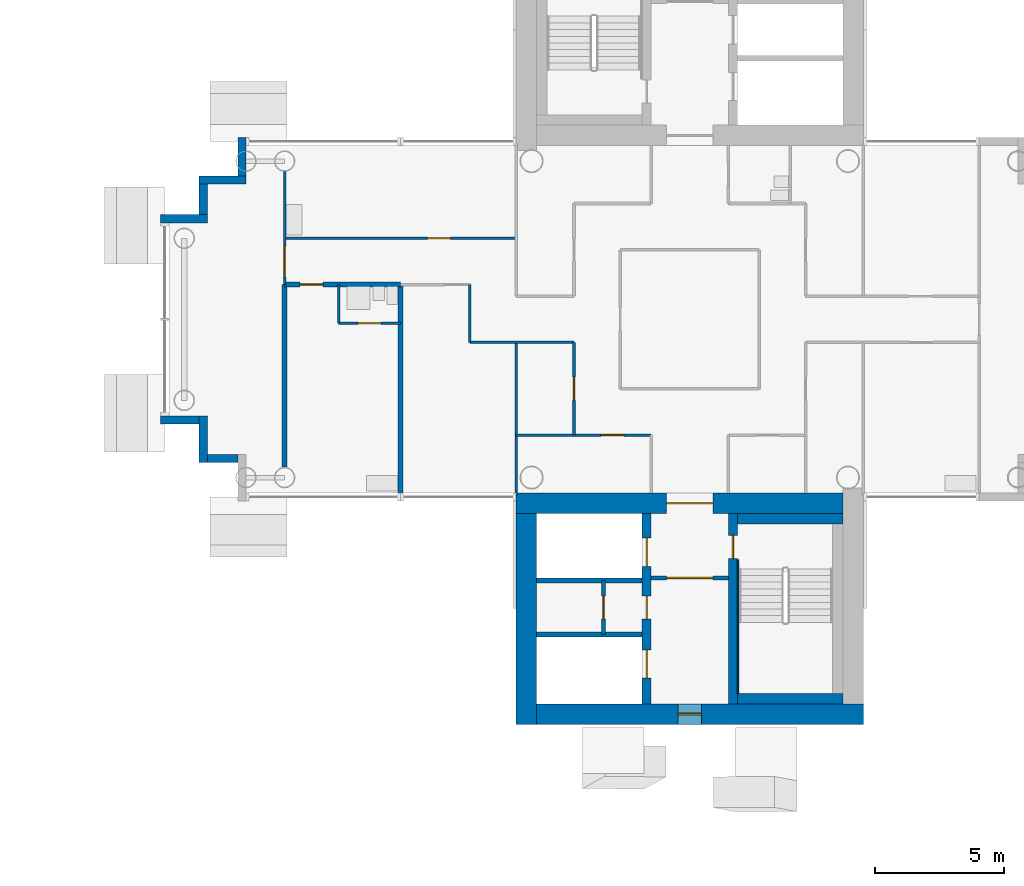
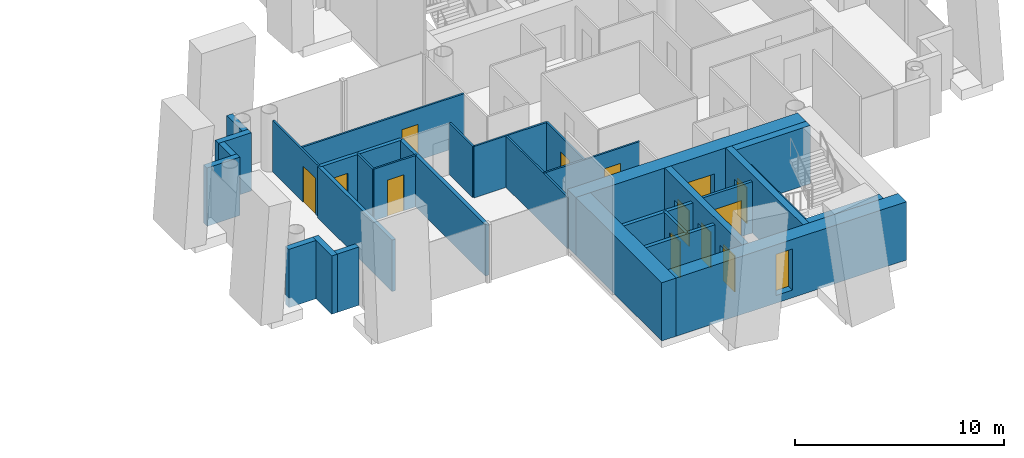
# One storey, part 9 of 19: 31 walls, 13 doors, 1 window, 14 openings.
"""IFC4 building model written with IfcOpenShell, lengths in metres."""

from ifc_helpers import new_model, si_unit, direction, frame, frame_2d, origin, place, context, subcontext, project, spatial, rectangle, extrude, material, layer, layer_set, type_object, element, fill, save


model = new_model("IFC4")

# Units and contexts
model_context = context("Model", 3, precision=1e-05, world=origin(), true_north=direction((0.0, 1.0)))
body_context = subcontext(model_context, "Body", "Model", "MODEL_VIEW")
ifc_project = project(units=[si_unit("LENGTHUNIT", "METRE"), si_unit("AREAUNIT", "SQUARE_METRE"), si_unit("VOLUMEUNIT", "CUBIC_METRE"), si_unit("PLANEANGLEUNIT", "RADIAN"), si_unit("MASSUNIT", "GRAM", prefix="KILO")], contexts=[model_context])

# Site, building, storey
site_placement = place(None, origin())
site = spatial("IfcSite", under=ifc_project, at=site_placement, CompositionType="ELEMENT")
building_placement = place(site_placement, origin())
building = spatial("IfcBuilding", under=site, at=building_placement, Name="Ipe Terrace Towers", CompositionType="ELEMENT")
storey_placement = place(building_placement, frame((0.0, 0.0, 137.10009765625)))
storey = spatial("IfcBuildingStorey", under=building, at=storey_placement, Name="L37", CompositionType="ELEMENT", Elevation=137.10009765625)

# Walls
ifc_material_1 = material(Name="Concrete C40/50 with buff precast cladding", Category="concrete")
ifc_layer_1 = layer(ifc_material_1, 0.320068359375)
ifc_layer_set_1 = layer_set([ifc_layer_1], Name="BUFF CLADDING WALL 320")
wall_type_1 = type_object("IfcWallType", Name="BUFF CLADDING WALL 320", PredefinedType="STANDARD", material=ifc_layer_set_1)
wall_1_placement = place(storey_placement, frame((18.590087890625, 7.070068359375, -0.300048828125), z_axis=(0.0, 0.0, 1.0), x_axis=(0.0, -1.0, 0.0)))
element("IfcWall", 1, at=wall_1_placement, inside=storey, type_object=wall_type_1, Name="T2-W-L37-30a wall", PredefinedType="STANDARD", context=body_context, shape_type="SweptSolid", body=[
    extrude(rectangle(XDim=1.5, YDim=0.320068359375, at=frame_2d((0.75, 0.0))), origin(), (0.0, 0.0, 1.0), 3.39990234375),
])
wall_2_placement = place(storey_placement, frame((18.75, 5.409912109375, -0.300048828125), z_axis=(0.0, 0.0, 1.0), x_axis=(-1.0, 0.0, 0.0)))
element("IfcWall", 2, at=wall_2_placement, inside=storey, type_object=wall_type_1, Name="T2-W-L37-31a wall", PredefinedType="STANDARD", context=body_context, shape_type="SweptSolid", body=[
    extrude(rectangle(XDim=1.820068359375, YDim=0.320068359375, at=frame_2d((0.91015625, 0.0))), origin(), (0.0, 0.0, 1.0), 3.39990234375),
])
wall_3_placement = place(storey_placement, frame((17.090087890625, 5.25, -0.300048828125), z_axis=(0.0, 0.0, 1.0), x_axis=(0.0, -1.0, 0.0)))
element("IfcWall", 3, at=wall_3_placement, inside=storey, type_object=wall_type_1, Name="T2-W-L37-32a wall", PredefinedType="STANDARD", context=body_context, shape_type="SweptSolid", body=[
    extrude(rectangle(XDim=1.179931640625, YDim=0.320068359375, at=frame_2d((0.58984375, 0.0))), origin(), (0.0, 0.0, 1.0), 3.39990234375),
])
wall_4_placement = place(storey_placement, frame((17.25, 3.909912109375, -0.300048828125), z_axis=(0.0, 0.0, 1.0), x_axis=(-1.0, 0.0, 0.0)))
element("IfcWall", 4, at=wall_4_placement, inside=storey, type_object=wall_type_1, Name="T2-W-L37-33a wall", PredefinedType="STANDARD", context=body_context, shape_type="SweptSolid", body=[
    extrude(rectangle(XDim=1.820068359375, YDim=0.320068359375, at=frame_2d((0.91015625, 0.0))), origin(), (0.0, 0.0, 1.0), 3.39990234375),
])
wall_5_placement = place(storey_placement, frame((15.429931640625, -3.909912109375, -0.300048828125), z_axis=(0.0, 0.0, 1.0), x_axis=(1.0, 0.0, 0.0)))
element("IfcWall", 5, at=wall_5_placement, inside=storey, type_object=wall_type_1, Name="T2-W-L37-35a wall", PredefinedType="STANDARD", context=body_context, shape_type="SweptSolid", body=[
    extrude(rectangle(XDim=1.5, YDim=0.320068359375, at=frame_2d((0.75, 0.0))), origin(), (0.0, 0.0, 1.0), 3.39990234375),
])
wall_6_placement = place(storey_placement, frame((17.090087890625, -3.75, -0.300048828125), z_axis=(0.0, 0.0, 1.0), x_axis=(0.0, -1.0, 0.0)))
element("IfcWall", 6, at=wall_6_placement, inside=storey, type_object=wall_type_1, Name="T2-W-L37-36a wall", PredefinedType="STANDARD", context=body_context, shape_type="SweptSolid", body=[
    extrude(rectangle(XDim=1.820068359375, YDim=0.320068359375, at=frame_2d((0.91015625, 0.0))), origin(), (0.0, 0.0, 1.0), 3.39990234375),
])
wall_7_placement = place(storey_placement, frame((17.25, -5.409912109375, -0.300048828125), z_axis=(0.0, 0.0, 1.0), x_axis=(1.0, 0.0, 0.0)))
element("IfcWall", 7, at=wall_7_placement, inside=storey, type_object=wall_type_1, Name="T2-W-L37-37a wall", PredefinedType="STANDARD", context=body_context, shape_type="SweptSolid", body=[
    extrude(rectangle(XDim=1.179931640625, YDim=0.320068359375, at=frame_2d((0.58984375, 0.0))), origin(), (0.0, 0.0, 1.0), 3.39990234375),
])

# Wall, opening, door
ifc_material_2 = material(Name="Gypsum board partition", Category="plasterboard")
ifc_layer_2 = layer(ifc_material_2, 0.10009765625)
ifc_layer_set_2 = layer_set([ifc_layer_2], Name="Gypsum board partition 100 mm")
wall_type_2 = type_object("IfcWallType", Name="Gypsum board partition 100 mm", PredefinedType="PARTITIONING", material=ifc_layer_set_2)
wall_8_placement = place(storey_placement, frame((34.5, -4.5, 0.0), z_axis=(0.0, 0.0, 1.0), x_axis=(-1.0, 0.0, 0.0)))
wall_8 = element("IfcWall", 8, at=wall_8_placement, inside=storey, type_object=wall_type_2, Name="Gypsum board partition T2 L37 W02", PredefinedType="PARTITIONING", context=body_context, shape_type="SweptSolid", body=[
    extrude(rectangle(XDim=5.25, YDim=0.10009765625, at=frame_2d((2.625, 0.0))), origin(), (0.0, 0.0, 1.0), 3.0),
])
opening_1_placement = place(wall_8_placement, frame((1.050048828125, 0.0, 0.0)))
opening_1 = element("IfcOpeningElement", 9, at=opening_1_placement, cuts=wall_8, Name="Opening T2-Z3A-05", PredefinedType="OPENING", context=body_context, shape_type="SweptSolid", body=[
    extrude(rectangle(XDim=0.89990234375, YDim=2.10009765625, at=frame_2d((0.449951171875, 1.050048828125))), frame((0.0, 0.06005859375, 0.0), z_axis=(0.0, -1.0, 0.0), x_axis=(1.0, 0.0, 0.0)), (0.0, 0.0, 1.0), 0.1201171875),
])
ifc_material_3 = material(Name="Timber door leaf", Category="wood")
door_type_1 = type_object("IfcDoorType", Name="Lounge door 900 x 2100", OperationType="NOTDEFINED", PredefinedType="DOOR", material=ifc_material_3)
door_1_placement = place(opening_1_placement, origin())
door_1 = element("IfcDoor", 10, at=door_1_placement, inside=storey, type_object=door_type_1, Name="Lounge door T2-Z3A-05", OperationType="SINGLE_SWING_RIGHT", OverallHeight=2.10009765625, OverallWidth=0.89990234375, PredefinedType="DOOR", context=body_context, shape_type="SweptSolid", body=[
    extrude(rectangle(XDim=0.89990234375, YDim=2.10009765625, at=frame_2d((0.449951171875, 1.050048828125))), frame((0.0, 0.02490234375, 0.0), z_axis=(0.0, -1.0, 0.0), x_axis=(1.0, 0.0, 0.0)), (0.0, 0.0, 1.0), 0.050048828125),
])
fill(opening_1, door_1)

# Wall
wall_9_placement = place(storey_placement, frame((31.5, -0.89990234375, 0.0), z_axis=(0.0, 0.0, 1.0), x_axis=(-1.0, 0.0, 0.0)))
element("IfcWall", 11, at=wall_9_placement, inside=storey, type_object=wall_type_2, Name="Gypsum board partition T2 L37 W05", PredefinedType="PARTITIONING", context=body_context, shape_type="SweptSolid", body=[
    extrude(rectangle(XDim=4.050048828125, YDim=0.10009765625, at=frame_2d((2.02490234375, 0.0))), origin(), (0.0, 0.0, 1.0), 3.0),
])

# Wall, opening, door
wall_10_placement = place(storey_placement, frame((24.75, -0.14990234375, 0.0), z_axis=(0.0, 0.0, 1.0), x_axis=(-1.0, 0.0, 0.0)))
wall_10 = element("IfcWall", 12, at=wall_10_placement, inside=storey, type_object=wall_type_2, Name="Gypsum board partition T2 L37 W06", PredefinedType="PARTITIONING", context=body_context, shape_type="SweptSolid", body=[
    extrude(rectangle(XDim=2.39990234375, YDim=0.10009765625, at=frame_2d((1.199951171875, 0.0))), origin(), (0.0, 0.0, 1.0), 3.0),
])
opening_2_placement = place(wall_10_placement, frame((0.75, 0.0, 0.0)))
opening_2 = element("IfcOpeningElement", 13, at=opening_2_placement, cuts=wall_10, Name="Opening T2-Z3A-11", PredefinedType="OPENING", context=body_context, shape_type="SweptSolid", body=[
    extrude(rectangle(XDim=0.89990234375, YDim=2.10009765625, at=frame_2d((0.449951171875, 1.050048828125))), frame((0.0, 0.06005859375, 0.0), z_axis=(0.0, -1.0, 0.0), x_axis=(1.0, 0.0, 0.0)), (0.0, 0.0, 1.0), 0.1201171875),
])
ifc_material_4 = material(Name="Timber door leaf", Category="wood")
door_type_2 = type_object("IfcDoorType", Name="Bathroom door 900 x 2100", OperationType="NOTDEFINED", PredefinedType="DOOR", material=ifc_material_4)
door_2_placement = place(opening_2_placement, origin())
door_2 = element("IfcDoor", 14, at=door_2_placement, inside=storey, type_object=door_type_2, Name="Bathroom door T2-Z3A-11", OperationType="SINGLE_SWING_LEFT", OverallHeight=2.10009765625, OverallWidth=0.89990234375, PredefinedType="DOOR", context=body_context, shape_type="SweptSolid", body=[
    extrude(rectangle(XDim=0.89990234375, YDim=2.10009765625, at=frame_2d((0.449951171875, 1.050048828125))), frame((0.0, 0.02490234375, 0.0), z_axis=(0.0, -1.0, 0.0), x_axis=(1.0, 0.0, 0.0)), (0.0, 0.0, 1.0), 0.050048828125),
])
fill(opening_2, door_2)

wall_11_placement = place(storey_placement, frame((29.25, 3.14990234375, 0.0), z_axis=(0.0, 0.0, 1.0), x_axis=(-1.0, 0.0, 0.0)))
wall_11 = element("IfcWall", 15, at=wall_11_placement, inside=storey, type_object=wall_type_2, Name="Gypsum board partition T2 L37 W12", PredefinedType="PARTITIONING", context=body_context, shape_type="SweptSolid", body=[
    extrude(rectangle(XDim=9.0, YDim=0.10009765625, at=frame_2d((4.5, 0.0))), origin(), (0.0, 0.0, 1.0), 3.0),
])
opening_3_placement = place(wall_11_placement, frame((2.550048828125, 0.0, 0.0)))
opening_3 = element("IfcOpeningElement", 16, at=opening_3_placement, cuts=wall_11, Name="Opening T2-Z3A-12", PredefinedType="OPENING", context=body_context, shape_type="SweptSolid", body=[
    extrude(rectangle(XDim=0.89990234375, YDim=2.10009765625, at=frame_2d((0.449951171875, 1.050048828125))), frame((0.0, 0.06005859375, 0.0), z_axis=(0.0, -1.0, 0.0), x_axis=(1.0, 0.0, 0.0)), (0.0, 0.0, 1.0), 0.1201171875),
])
door_3_placement = place(opening_3_placement, origin())
door_3 = element("IfcDoor", 17, at=door_3_placement, inside=storey, type_object=door_type_1, Name="Lounge door T2-Z3A-12", OperationType="SINGLE_SWING_LEFT", OverallHeight=2.10009765625, OverallWidth=0.89990234375, PredefinedType="DOOR", context=body_context, shape_type="SweptSolid", body=[
    extrude(rectangle(XDim=0.89990234375, YDim=2.10009765625, at=frame_2d((0.449951171875, 1.050048828125))), frame((0.0, 0.02490234375, 0.0), z_axis=(0.0, -1.0, 0.0), x_axis=(1.0, 0.0, 0.0)), (0.0, 0.0, 1.0), 0.050048828125),
])
fill(opening_3, door_3)

wall_12_placement = place(storey_placement, frame((31.5, -4.5, 0.0), z_axis=(0.0, 0.0, 1.0), x_axis=(0.0, 1.0, 0.0)))
wall_12 = element("IfcWall", 18, at=wall_12_placement, inside=storey, type_object=wall_type_2, Name="Gypsum board partition T2 L37 W34", PredefinedType="PARTITIONING", context=body_context, shape_type="SweptSolid", body=[
    extrude(rectangle(XDim=3.60009765625, YDim=0.10009765625, at=frame_2d((1.800048828125, 0.0))), origin(), (0.0, 0.0, 1.0), 3.0),
])
opening_4_placement = place(wall_12_placement, frame((1.35009765625, 0.0, 0.0)))
opening_4 = element("IfcOpeningElement", 19, at=opening_4_placement, cuts=wall_12, Name="Opening T2-Z3A-04", PredefinedType="OPENING", context=body_context, shape_type="SweptSolid", body=[
    extrude(rectangle(XDim=0.89990234375, YDim=2.10009765625, at=frame_2d((0.449951171875, 1.050048828125))), frame((0.0, 0.06005859375, 0.0), z_axis=(0.0, -1.0, 0.0), x_axis=(1.0, 0.0, 0.0)), (0.0, 0.0, 1.0), 0.1201171875),
])
door_4_placement = place(opening_4_placement, origin())
door_4 = element("IfcDoor", 20, at=door_4_placement, inside=storey, type_object=door_type_1, Name="Lounge door T2-Z3A-04", OperationType="SINGLE_SWING_RIGHT", OverallHeight=2.10009765625, OverallWidth=0.89990234375, PredefinedType="DOOR", context=body_context, shape_type="SweptSolid", body=[
    extrude(rectangle(XDim=0.89990234375, YDim=2.10009765625, at=frame_2d((0.449951171875, 1.050048828125))), frame((0.0, 0.02490234375, 0.0), z_axis=(0.0, -1.0, 0.0), x_axis=(1.0, 0.0, 0.0)), (0.0, 0.0, 1.0), 0.050048828125),
])
fill(opening_4, door_4)

# Walls
wall_13_placement = place(storey_placement, frame((29.25, -6.85009765625, 0.0), z_axis=(0.0, 0.0, 1.0), x_axis=(0.0, 1.0, 0.0)))
element("IfcWall", 21, at=wall_13_placement, inside=storey, type_object=wall_type_2, Name="Gypsum board partition T2 L37 W36", PredefinedType="PARTITIONING", context=body_context, shape_type="SweptSolid", body=[
    extrude(rectangle(XDim=5.9501953125, YDim=0.10009765625, at=frame_2d((2.97509765625, 0.0))), origin(), (0.0, 0.0, 1.0), 3.0),
])
wall_14_placement = place(storey_placement, frame((27.449951171875, -0.89990234375, 0.0), z_axis=(0.0, 0.0, 1.0), x_axis=(0.0, 1.0, 0.0)))
element("IfcWall", 22, at=wall_14_placement, inside=storey, type_object=wall_type_2, Name="Gypsum board partition T2 L37 W38", PredefinedType="PARTITIONING", context=body_context, shape_type="SweptSolid", body=[
    extrude(rectangle(XDim=2.25, YDim=0.10009765625, at=frame_2d((1.125, 0.0))), origin(), (0.0, 0.0, 1.0), 3.0),
])
wall_15_placement = place(storey_placement, frame((22.35009765625, -0.14990234375, 0.0), z_axis=(0.0, 0.0, 1.0), x_axis=(0.0, 1.0, 0.0)))
element("IfcWall", 23, at=wall_15_placement, inside=storey, type_object=wall_type_2, Name="Gypsum board partition T2 L37 W40", PredefinedType="PARTITIONING", context=body_context, shape_type="SweptSolid", body=[
    extrude(rectangle(XDim=1.5, YDim=0.10009765625, at=frame_2d((0.75, 0.0))), origin(), (0.0, 0.0, 1.0), 3.0),
])

# Wall, opening, door
wall_16_placement = place(storey_placement, frame((20.25, 1.35009765625, 0.0), z_axis=(0.0, 0.0, 1.0), x_axis=(0.0, 1.0, 0.0)))
wall_16 = element("IfcWall", 24, at=wall_16_placement, inside=storey, type_object=wall_type_2, Name="Gypsum board partition T2 L37 W41", PredefinedType="PARTITIONING", context=body_context, shape_type="SweptSolid", body=[
    extrude(rectangle(XDim=4.39990234375, YDim=0.10009765625, at=frame_2d((2.199951171875, 0.0))), origin(), (0.0, 0.0, 1.0), 3.0),
])
opening_5_placement = place(wall_16_placement, frame((0.300048828125, 0.0, 0.0)))
opening_5 = element("IfcOpeningElement", 25, at=opening_5_placement, cuts=wall_16, Name="Opening T2-Z3A-13", PredefinedType="OPENING", context=body_context, shape_type="SweptSolid", body=[
    extrude(rectangle(XDim=1.199951171875, YDim=2.10009765625, at=frame_2d((0.60009765625, 1.050048828125))), frame((0.0, 0.06005859375, 0.0), z_axis=(0.0, -1.0, 0.0), x_axis=(1.0, 0.0, 0.0)), (0.0, 0.0, 1.0), 0.1201171875),
])
ifc_material_5 = material(Name="Timber door leaf", Category="wood")
door_type_3 = type_object("IfcDoorType", Name="Lounge door 1200 x 2100", OperationType="NOTDEFINED", PredefinedType="DOOR", material=ifc_material_5)
door_5_placement = place(opening_5_placement, origin())
door_5 = element("IfcDoor", 26, at=door_5_placement, inside=storey, type_object=door_type_3, Name="Lounge door T2-Z3A-13", OperationType="SINGLE_SWING_RIGHT", OverallHeight=2.10009765625, OverallWidth=1.199951171875, PredefinedType="DOOR", context=body_context, shape_type="SweptSolid", body=[
    extrude(rectangle(XDim=1.199951171875, YDim=2.10009765625, at=frame_2d((0.60009765625, 1.050048828125))), frame((0.0, 0.02490234375, 0.0), z_axis=(0.0, -1.0, 0.0), x_axis=(1.0, 0.0, 0.0)), (0.0, 0.0, 1.0), 0.050048828125),
])
fill(opening_5, door_5)

ifc_material_6 = material(Name="Gypsum board partition", Category="plasterboard")
ifc_layer_3 = layer(ifc_material_6, 0.14990234375)
ifc_layer_set_3 = layer_set([ifc_layer_3], Name="Gypsum board partition 150 mm")
wall_type_3 = type_object("IfcWallType", Name="Gypsum board partition 150 mm", PredefinedType="PARTITIONING", material=ifc_layer_set_3)
wall_17_placement = place(storey_placement, frame((34.5, -10.050048828125, 0.0), z_axis=(0.0, 0.0, 1.0), x_axis=(1.0, 0.0, 0.0)))
wall_17 = element("IfcWall", 27, at=wall_17_placement, inside=storey, type_object=wall_type_3, Name="Gypsum board partition T2 L37 t2c2-lobby-wall", PredefinedType="PARTITIONING", context=body_context, shape_type="SweptSolid", body=[
    extrude(rectangle(XDim=3.0, YDim=0.14990234375, at=frame_2d((1.5, 0.0))), origin(), (0.0, 0.0, 1.0), 3.0),
])
opening_6_placement = place(wall_17_placement, frame((0.60009765625, 0.0, 0.0)))
opening_6 = element("IfcOpeningElement", 28, at=opening_6_placement, cuts=wall_17, Name="Opening T2C2-VD", PredefinedType="OPENING", context=body_context, shape_type="SweptSolid", body=[
    extrude(rectangle(XDim=1.800048828125, YDim=2.10009765625, at=frame_2d((0.89990234375, 1.050048828125))), frame((0.0, 0.0849609375, 0.0), z_axis=(0.0, -1.0, 0.0), x_axis=(1.0, 0.0, 0.0)), (0.0, 0.0, 1.0), 0.169921875),
])
ifc_material_7 = material(Name="Fire-rated timber door leaf", Category="wood")
door_type_4 = type_object("IfcDoorType", Name="Lobby door 1800 x 2100 FD60", OperationType="NOTDEFINED", PredefinedType="DOOR", material=ifc_material_7)
door_6_placement = place(opening_6_placement, origin())
door_6 = element("IfcDoor", 29, at=door_6_placement, inside=storey, type_object=door_type_4, Name="Lobby door T2C2-VD", OperationType="SINGLE_SWING_LEFT", OverallHeight=2.10009765625, OverallWidth=1.800048828125, PredefinedType="DOOR", context=body_context, shape_type="SweptSolid", body=[
    extrude(rectangle(XDim=1.800048828125, YDim=2.10009765625, at=frame_2d((0.89990234375, 1.050048828125))), frame((0.0, 0.02490234375, 0.0), z_axis=(0.0, -1.0, 0.0), x_axis=(1.0, 0.0, 0.0)), (0.0, 0.0, 1.0), 0.050048828125),
])
fill(opening_6, door_6)

wall_18_placement = place(storey_placement, frame((32.64990234375, -10.14990234375, 0.0), z_axis=(0.0, 0.0, 1.0), x_axis=(0.0, -1.0, 0.0)))
wall_18 = element("IfcWall", 30, at=wall_18_placement, inside=storey, type_object=wall_type_3, Name="Gypsum board partition T2 L37 t2c2-q-back", PredefinedType="PARTITIONING", context=body_context, shape_type="SweptSolid", body=[
    extrude(rectangle(XDim=2.10009765625, YDim=0.14990234375, at=frame_2d((1.050048828125, 0.0))), origin(), (0.0, 0.0, 1.0), 3.0),
])
opening_7_placement = place(wall_18_placement, frame((0.60009765625, 0.0, 0.0)))
opening_7 = element("IfcOpeningElement", 31, at=opening_7_placement, cuts=wall_18, Name="Opening T2C2-RB", PredefinedType="OPENING", context=body_context, shape_type="SweptSolid", body=[
    extrude(rectangle(XDim=0.89990234375, YDim=2.10009765625, at=frame_2d((0.449951171875, 1.050048828125))), frame((0.0, 0.0849609375, 0.0), z_axis=(0.0, -1.0, 0.0), x_axis=(1.0, 0.0, 0.0)), (0.0, 0.0, 1.0), 0.169921875),
])
ifc_material_8 = material(Name="Fire-rated timber door leaf", Category="wood")
door_type_5 = type_object("IfcDoorType", Name="Service door 900 x 2100 FD60", OperationType="NOTDEFINED", PredefinedType="DOOR", material=ifc_material_8)
door_7_placement = place(opening_7_placement, origin())
door_7 = element("IfcDoor", 32, at=door_7_placement, inside=storey, type_object=door_type_5, Name="Service door T2C2-RB", OperationType="SINGLE_SWING_LEFT", OverallHeight=2.10009765625, OverallWidth=0.89990234375, PredefinedType="DOOR", context=body_context, shape_type="SweptSolid", body=[
    extrude(rectangle(XDim=0.89990234375, YDim=2.10009765625, at=frame_2d((0.449951171875, 1.050048828125))), frame((0.0, 0.02490234375, 0.0), z_axis=(0.0, -1.0, 0.0), x_axis=(1.0, 0.0, 0.0)), (0.0, 0.0, 1.0), 0.050048828125),
])
fill(opening_7, door_7)

# Walls
ifc_material_9 = material(Name="Gypsum board party wall", Category="plasterboard")
ifc_layer_4 = layer(ifc_material_9, 0.199951171875)
ifc_layer_set_4 = layer_set([ifc_layer_4], Name="Gypsum board party wall 200 mm")
wall_type_4 = type_object("IfcWallType", Name="Gypsum board party wall 200 mm", PredefinedType="SOLIDWALL", material=ifc_layer_set_4)
for number, where, z_axis, x_axis, name in (
    (33, (30.050048828125, -12.25, 0.0), (0.0, 0.0, 1.0), (1.0, 0.0, 0.0), "Gypsum board party wall T2 L37 t2c2-shaft-div2"),
    (34, (30.050048828125, -10.14990234375, 0.0), (0.0, 0.0, 1.0), (1.0, 0.0, 0.0), "Gypsum board party wall T2 L37 t2c2-shaft-div1"),
):
    element("IfcWall", number, at=place(storey_placement, frame(where, z_axis=z_axis, x_axis=x_axis)), inside=storey, type_object=wall_type_4, Name=name, PredefinedType="SOLIDWALL", context=body_context, shape_type="SweptSolid", body=[
        extrude(rectangle(XDim=4.099853515625, YDim=0.199951171875, at=frame_2d((2.0498046875, 0.0))), origin(), (0.0, 0.0, 1.0), 3.0),
    ])

# Wall, opening, door
wall_19_placement = place(storey_placement, frame((24.75, 1.35009765625, 0.0), z_axis=(0.0, 0.0, 1.0), x_axis=(-1.0, 0.0, 0.0)))
wall_19 = element("IfcWall", 35, at=wall_19_placement, inside=storey, type_object=wall_type_4, Name="Gypsum board party wall T2 L37 W10", PredefinedType="SOLIDWALL", context=body_context, shape_type="SweptSolid", body=[
    extrude(rectangle(XDim=4.5, YDim=0.199951171875, at=frame_2d((2.25, 0.0))), origin(), (0.0, 0.0, 1.0), 3.0),
])
opening_8_placement = place(wall_19_placement, frame((3.0, 0.0, 0.0)))
opening_8 = element("IfcOpeningElement", 36, at=opening_8_placement, cuts=wall_19, Name="Opening T2-Z3A-10", PredefinedType="OPENING", context=body_context, shape_type="SweptSolid", body=[
    extrude(rectangle(XDim=0.89990234375, YDim=2.10009765625, at=frame_2d((0.449951171875, 1.050048828125))), frame((0.0, 0.10986328125, 0.0), z_axis=(0.0, -1.0, 0.0), x_axis=(1.0, 0.0, 0.0)), (0.0, 0.0, 1.0), 0.219970703125),
])
ifc_material_10 = material(Name="Fire-rated timber door leaf", Category="wood")
door_type_6 = type_object("IfcDoorType", Name="Flat entrance door 900 x 2100 FD30S", OperationType="NOTDEFINED", PredefinedType="DOOR", material=ifc_material_10)
door_8_placement = place(opening_8_placement, origin())
door_8 = element("IfcDoor", 37, at=door_8_placement, inside=storey, type_object=door_type_6, Name="Flat entrance door T2-Z3A-10", OperationType="SINGLE_SWING_LEFT", OverallHeight=2.10009765625, OverallWidth=0.89990234375, PredefinedType="DOOR", context=body_context, shape_type="SweptSolid", body=[
    extrude(rectangle(XDim=0.89990234375, YDim=2.10009765625, at=frame_2d((0.449951171875, 1.050048828125))), frame((0.0, 0.02490234375, 0.0), z_axis=(0.0, -1.0, 0.0), x_axis=(1.0, 0.0, 0.0)), (0.0, 0.0, 1.0), 0.050048828125),
])
fill(opening_8, door_8)

# Walls
wall_20_placement = place(storey_placement, frame((24.75, -6.85009765625, 0.0), z_axis=(0.0, 0.0, 1.0), x_axis=(0.0, 1.0, 0.0)))
element("IfcWall", 38, at=wall_20_placement, inside=storey, type_object=wall_type_4, Name="Gypsum board party wall T2 L37 W39", PredefinedType="SOLIDWALL", context=body_context, shape_type="SweptSolid", body=[
    extrude(rectangle(XDim=8.2001953125, YDim=0.199951171875, at=frame_2d((4.10009765625, 0.0))), origin(), (0.0, 0.0, 1.0), 3.0),
])
wall_21_placement = place(storey_placement, frame((20.25, -5.75, 0.0), z_axis=(0.0, 0.0, 1.0), x_axis=(0.0, 1.0, 0.0)))
element("IfcWall", 39, at=wall_21_placement, inside=storey, type_object=wall_type_4, Name="Gypsum board party wall T2 L37 W42", PredefinedType="SOLIDWALL", context=body_context, shape_type="SweptSolid", body=[
    extrude(rectangle(XDim=7.10009765625, YDim=0.199951171875, at=frame_2d((3.550048828125, 0.0))), origin(), (0.0, 0.0, 1.0), 3.0),
])

# Wall, openings, doors
ifc_material_11 = material(Name="Concrete C50/60", Category="concrete")
ifc_layer_5 = layer(ifc_material_11, 0.35009765625)
ifc_layer_set_5 = layer_set([ifc_layer_5], Name="RW350 CORE SPINE WALL 350 C50-60")
wall_type_5 = type_object("IfcWallType", Name="RW350 CORE SPINE WALL 350 C50-60", PredefinedType="SHEAR", material=ifc_layer_set_5)
wall_22_placement = place(storey_placement, frame((34.324951171875, -14.949951171875, 0.0), z_axis=(0.0, 0.0, 1.0), x_axis=(0.0, 1.0, 0.0)))
wall_22 = element("IfcWall", 40, at=wall_22_placement, inside=storey, type_object=wall_type_5, Name="Core spine wall T2-C2-Z3-SW1", PredefinedType="SHEAR", context=body_context, shape_type="SweptSolid", body=[
    extrude(rectangle(XDim=7.39990234375, YDim=0.35009765625, at=frame_2d((3.699951171875, 0.0))), origin(), (0.0, 0.0, 1.0), 3.39990234375),
])
opening_9_placement = place(wall_22_placement, frame((5.35009765625, 0.0, 0.0)))
opening_9 = element("IfcOpeningElement", 41, at=opening_9_placement, cuts=wall_22, Name="Opening T2C2-LD1", PredefinedType="OPENING", context=body_context, shape_type="SweptSolid", body=[
    extrude(rectangle(XDim=1.10009765625, YDim=2.10009765625, at=frame_2d((0.550048828125, 1.050048828125))), frame((0.0, 0.18505859375, 0.0), z_axis=(0.0, -1.0, 0.0), x_axis=(1.0, 0.0, 0.0)), (0.0, 0.0, 1.0), 0.3701171875),
])
opening_10_placement = place(wall_22_placement, frame((1.0, 0.0, 0.0)))
opening_10 = element("IfcOpeningElement", 42, at=opening_10_placement, cuts=wall_22, Name="Opening T2C2-LD3", PredefinedType="OPENING", context=body_context, shape_type="SweptSolid", body=[
    extrude(rectangle(XDim=1.10009765625, YDim=2.10009765625, at=frame_2d((0.550048828125, 1.050048828125))), frame((0.0, 0.18505859375, 0.0), z_axis=(0.0, -1.0, 0.0), x_axis=(1.0, 0.0, 0.0)), (0.0, 0.0, 1.0), 0.3701171875),
])
opening_11_placement = place(wall_22_placement, frame((3.300048828125, 0.0, 0.0)))
opening_11 = element("IfcOpeningElement", 43, at=opening_11_placement, cuts=wall_22, Name="Opening T2C2-R1", PredefinedType="OPENING", context=body_context, shape_type="SweptSolid", body=[
    extrude(rectangle(XDim=0.89990234375, YDim=2.10009765625, at=frame_2d((0.449951171875, 1.050048828125))), frame((0.0, 0.18505859375, 0.0), z_axis=(0.0, -1.0, 0.0), x_axis=(1.0, 0.0, 0.0)), (0.0, 0.0, 1.0), 0.3701171875),
])
ifc_material_12 = material(Name="Fire-rated timber door leaf", Category="wood")
door_type_7 = type_object("IfcDoorType", Name="Sliding door 1100 x 2100 FD60", OperationType="SLIDING_TO_LEFT", PredefinedType="DOOR", material=ifc_material_12)
door_9_placement = place(opening_9_placement, origin())
door_9 = element("IfcDoor", 44, at=door_9_placement, inside=storey, type_object=door_type_7, Name="Sliding door T2C2-LD1", OperationType="SLIDING_TO_LEFT", OverallHeight=2.10009765625, OverallWidth=1.10009765625, PredefinedType="DOOR", context=body_context, shape_type="SweptSolid", body=[
    extrude(rectangle(XDim=1.10009765625, YDim=2.10009765625, at=frame_2d((0.550048828125, 1.050048828125))), frame((0.0, 0.02490234375, 0.0), z_axis=(0.0, -1.0, 0.0), x_axis=(1.0, 0.0, 0.0)), (0.0, 0.0, 1.0), 0.050048828125),
])
fill(opening_9, door_9)
door_10_placement = place(opening_10_placement, origin())
door_10 = element("IfcDoor", 45, at=door_10_placement, inside=storey, type_object=door_type_7, Name="Sliding door T2C2-LD3", OperationType="SLIDING_TO_LEFT", OverallHeight=2.10009765625, OverallWidth=1.10009765625, PredefinedType="DOOR", context=body_context, shape_type="SweptSolid", body=[
    extrude(rectangle(XDim=1.10009765625, YDim=2.10009765625, at=frame_2d((0.550048828125, 1.050048828125))), frame((0.0, 0.02490234375, 0.0), z_axis=(0.0, -1.0, 0.0), x_axis=(1.0, 0.0, 0.0)), (0.0, 0.0, 1.0), 0.050048828125),
])
fill(opening_10, door_10)
ifc_material_13 = material(Name="Timber door leaf", Category="wood")
door_type_8 = type_object("IfcDoorType", Name="Store door 900 x 2100", OperationType="NOTDEFINED", PredefinedType="DOOR", material=ifc_material_13)
door_11_placement = place(opening_11_placement, origin())
door_11 = element("IfcDoor", 46, at=door_11_placement, inside=storey, type_object=door_type_8, Name="Store door T2C2-R1", OperationType="SINGLE_SWING_LEFT", OverallHeight=2.10009765625, OverallWidth=0.89990234375, PredefinedType="DOOR", context=body_context, shape_type="SweptSolid", body=[
    extrude(rectangle(XDim=0.89990234375, YDim=2.10009765625, at=frame_2d((0.449951171875, 1.050048828125))), frame((0.0, 0.02490234375, 0.0), z_axis=(0.0, -1.0, 0.0), x_axis=(1.0, 0.0, 0.0)), (0.0, 0.0, 1.0), 0.050048828125),
])
fill(opening_11, door_11)

# Wall, opening, door
wall_23_placement = place(storey_placement, frame((37.675048828125, -14.949951171875, 0.0), z_axis=(0.0, 0.0, 1.0), x_axis=(0.0, 1.0, 0.0)))
wall_23 = element("IfcWall", 47, at=wall_23_placement, inside=storey, type_object=wall_type_5, Name="Core spine wall T2-C2-Z3-SW2", PredefinedType="SHEAR", context=body_context, shape_type="SweptSolid", body=[
    extrude(rectangle(XDim=7.39990234375, YDim=0.35009765625, at=frame_2d((3.699951171875, 0.0))), origin(), (0.0, 0.0, 1.0), 3.39990234375),
])
opening_12_placement = place(wall_23_placement, frame((5.64990234375, 0.0, 0.0)))
opening_12 = element("IfcOpeningElement", 48, at=opening_12_placement, cuts=wall_23, Name="Opening T2C2-SD", PredefinedType="OPENING", context=body_context, shape_type="SweptSolid", body=[
    extrude(rectangle(XDim=0.89990234375, YDim=2.10009765625, at=frame_2d((0.449951171875, 1.050048828125))), frame((0.0, 0.18505859375, 0.0), z_axis=(0.0, -1.0, 0.0), x_axis=(1.0, 0.0, 0.0)), (0.0, 0.0, 1.0), 0.3701171875),
])
ifc_material_14 = material(Name="Fire-rated timber door leaf", Category="wood")
door_type_9 = type_object("IfcDoorType", Name="Stair door 900 x 2100 FD60", OperationType="NOTDEFINED", PredefinedType="DOOR", material=ifc_material_14)
door_12_placement = place(opening_12_placement, origin())
door_12 = element("IfcDoor", 49, at=door_12_placement, inside=storey, type_object=door_type_9, Name="Stair door T2C2-SD", OperationType="SINGLE_SWING_RIGHT", OverallHeight=2.10009765625, OverallWidth=0.89990234375, PredefinedType="DOOR", context=body_context, shape_type="SweptSolid", body=[
    extrude(rectangle(XDim=0.89990234375, YDim=2.10009765625, at=frame_2d((0.449951171875, 1.050048828125))), frame((0.0, 0.02490234375, 0.0), z_axis=(0.0, -1.0, 0.0), x_axis=(1.0, 0.0, 0.0)), (0.0, 0.0, 1.0), 0.050048828125),
])
fill(opening_12, door_12)

# Walls
ifc_material_15 = material(Name="Concrete C50/60", Category="concrete")
ifc_layer_6 = layer(ifc_material_15, 0.39990234375)
ifc_layer_set_6 = layer_set([ifc_layer_6], Name="RW400 CORE INFILL WALL 400 C50-60")
wall_type_6 = type_object("IfcWallType", Name="RW400 CORE INFILL WALL 400 C50-60", PredefinedType="SHEAR", material=ifc_layer_set_6)
for number, where, z_axis, x_axis, name in (
    (50, (37.85009765625, -14.75, 0.0), (0.0, 0.0, 1.0), (1.0, 0.0, 0.0), "Core infill wall T2-C2-far"),
    (51, (37.85009765625, -7.75, 0.0), (0.0, 0.0, 1.0), (1.0, 0.0, 0.0), "Core infill wall T2-C2-near"),
):
    element("IfcWall", number, at=place(storey_placement, frame(where, z_axis=z_axis, x_axis=x_axis)), inside=storey, type_object=wall_type_6, Name=name, PredefinedType="SHEAR", context=body_context, shape_type="SweptSolid", body=[
        extrude(rectangle(XDim=4.099853515625, YDim=0.39990234375, at=frame_2d((2.0498046875, 0.0))), origin(), (0.0, 0.0, 1.0), 3.39990234375),
    ])
ifc_material_16 = material(Name="Concrete C50/60", Category="concrete")
ifc_layer_7 = layer(ifc_material_16, 0.050048828125)
ifc_layer_set_7 = layer_set([ifc_layer_7], Name="RW50 CORE INFILL WALL 50 C50-60")
wall_type_7 = type_object("IfcWallType", Name="RW50 CORE INFILL WALL 50 C50-60", PredefinedType="SHEAR", material=ifc_layer_set_7)
wall_24_placement = place(storey_placement, frame((37.875, -9.35009765625, 0.0), z_axis=(0.0, 0.0, 1.0), x_axis=(0.0, -1.0, 0.0)))
element("IfcWall", 52, at=wall_24_placement, inside=storey, type_object=wall_type_7, Name="Core infill wall T2-C2-spine-b", PredefinedType="SHEAR", context=body_context, shape_type="SweptSolid", body=[
    extrude(rectangle(XDim=5.199951171875, YDim=0.050048828125, at=frame_2d((2.60009765625, 0.0))), origin(), (0.0, 0.0, 1.0), 3.39990234375),
])

# Wall, opening, window
ifc_material_17 = material(Name="Concrete C50/60", Category="concrete")
ifc_layer_8 = layer(ifc_material_17, 0.800048828125)
ifc_layer_set_8 = layer_set([ifc_layer_8], Name="RW800 CORE WALL 800 C50-60")
wall_type_8 = type_object("IfcWallType", Name="RW800 CORE WALL 800 C50-60", PredefinedType="SHEAR", material=ifc_layer_set_8)
wall_25_placement = place(storey_placement, frame((30.050048828125, -15.35009765625, 0.0), z_axis=(0.0, 0.0, 1.0), x_axis=(1.0, 0.0, 0.0)))
wall_25 = element("IfcWall", 53, at=wall_25_placement, inside=storey, type_object=wall_type_8, Name="Core wall T2-C2-Z3-W01", PredefinedType="SHEAR", context=body_context, shape_type="SweptSolid", body=[
    extrude(rectangle(XDim=12.699951171875, YDim=0.800048828125, at=frame_2d((6.35009765625, 0.0))), origin(), (0.0, 0.0, 1.0), 3.39990234375),
])
opening_13_placement = place(wall_25_placement, frame((5.5, 0.0, 0.449951171875)))
opening_13 = element("IfcOpeningElement", 54, at=opening_13_placement, cuts=wall_25, Name="Opening T2-C2-W-01-L37", PredefinedType="OPENING", context=body_context, shape_type="SweptSolid", body=[
    extrude(rectangle(XDim=0.89990234375, YDim=2.39990234375, at=frame_2d((0.449951171875, 1.199951171875))), frame((0.0, 0.41015625, 0.0), z_axis=(0.0, -1.0, 0.0), x_axis=(1.0, 0.0, 0.0)), (0.0, 0.0, 1.0), 0.820068359375),
])
ifc_material_18 = material(Name="Fire-resistant glazing EI 60", Category="glass")
window_type = type_object("IfcWindowType", Name="CORRIDOR END SLOT WINDOW 900 x 2400 EI 60", PartitioningType="SINGLE_PANEL", PredefinedType="WINDOW", material=ifc_material_18)
window_placement = place(opening_13_placement, origin())
window = element("IfcWindow", 55, at=window_placement, inside=storey, type_object=window_type, Name="W-01 window", OverallHeight=2.39990234375, OverallWidth=0.89990234375, PartitioningType="SINGLE_PANEL", PredefinedType="WINDOW", context=body_context, shape_type="SweptSolid", body=[
    extrude(rectangle(XDim=0.89990234375, YDim=2.39990234375, at=frame_2d((0.449951171875, 1.199951171875))), frame((0.0, 0.030029296875, 0.0), z_axis=(0.0, -1.0, 0.0), x_axis=(1.0, 0.0, 0.0)), (0.0, 0.0, 1.0), 0.06005859375),
])
fill(opening_13, window)

# Wall, opening, door
wall_26_placement = place(storey_placement, frame((41.949951171875, -7.14990234375, 0.0), z_axis=(0.0, 0.0, 1.0), x_axis=(-1.0, 0.0, 0.0)))
wall_26 = element("IfcWall", 56, at=wall_26_placement, inside=storey, type_object=wall_type_8, Name="Core wall T2-C2-Z3-W03", PredefinedType="SHEAR", context=body_context, shape_type="SweptSolid", body=[
    extrude(rectangle(XDim=12.699951171875, YDim=0.800048828125, at=frame_2d((6.35009765625, 0.0))), origin(), (0.0, 0.0, 1.0), 3.39990234375),
])
opening_14_placement = place(wall_26_placement, frame((5.050048828125, 0.0, 0.0)))
opening_14 = element("IfcOpeningElement", 57, at=opening_14_placement, cuts=wall_26, Name="Opening T2C2-ND", PredefinedType="OPENING", context=body_context, shape_type="SweptSolid", body=[
    extrude(rectangle(XDim=1.800048828125, YDim=2.10009765625, at=frame_2d((0.89990234375, 1.050048828125))), frame((0.0, 0.41015625, 0.0), z_axis=(0.0, -1.0, 0.0), x_axis=(1.0, 0.0, 0.0)), (0.0, 0.0, 1.0), 0.820068359375),
])
ifc_material_19 = material(Name="Fire-rated timber door leaf", Category="wood")
door_type_10 = type_object("IfcDoorType", Name="Fire door 1800 x 2100 FD30S", OperationType="NOTDEFINED", PredefinedType="DOOR", material=ifc_material_19)
door_13_placement = place(opening_14_placement, origin())
door_13 = element("IfcDoor", 58, at=door_13_placement, inside=storey, type_object=door_type_10, Name="Fire door T2C2-ND", OperationType="SINGLE_SWING_LEFT", OverallHeight=2.10009765625, OverallWidth=1.800048828125, PredefinedType="DOOR", context=body_context, shape_type="SweptSolid", body=[
    extrude(rectangle(XDim=1.800048828125, YDim=2.10009765625, at=frame_2d((0.89990234375, 1.050048828125))), frame((0.0, 0.02490234375, 0.0), z_axis=(0.0, -1.0, 0.0), x_axis=(1.0, 0.0, 0.0)), (0.0, 0.0, 1.0), 0.050048828125),
])
fill(opening_14, door_13)

# Wall
wall_27_placement = place(storey_placement, frame((29.64990234375, -7.550048828125, 0.0), z_axis=(0.0, 0.0, 1.0), x_axis=(0.0, -1.0, 0.0)))
element("IfcWall", 59, at=wall_27_placement, inside=storey, type_object=wall_type_8, Name="Core wall T2-C2-Z3-W04", PredefinedType="SHEAR", context=body_context, shape_type="SweptSolid", body=[
    extrude(rectangle(XDim=8.199951171875, YDim=0.800048828125, at=frame_2d((4.10009765625, 0.0))), origin(), (0.0, 0.0, 1.0), 3.39990234375),
])

save(model, "model.ifc")
